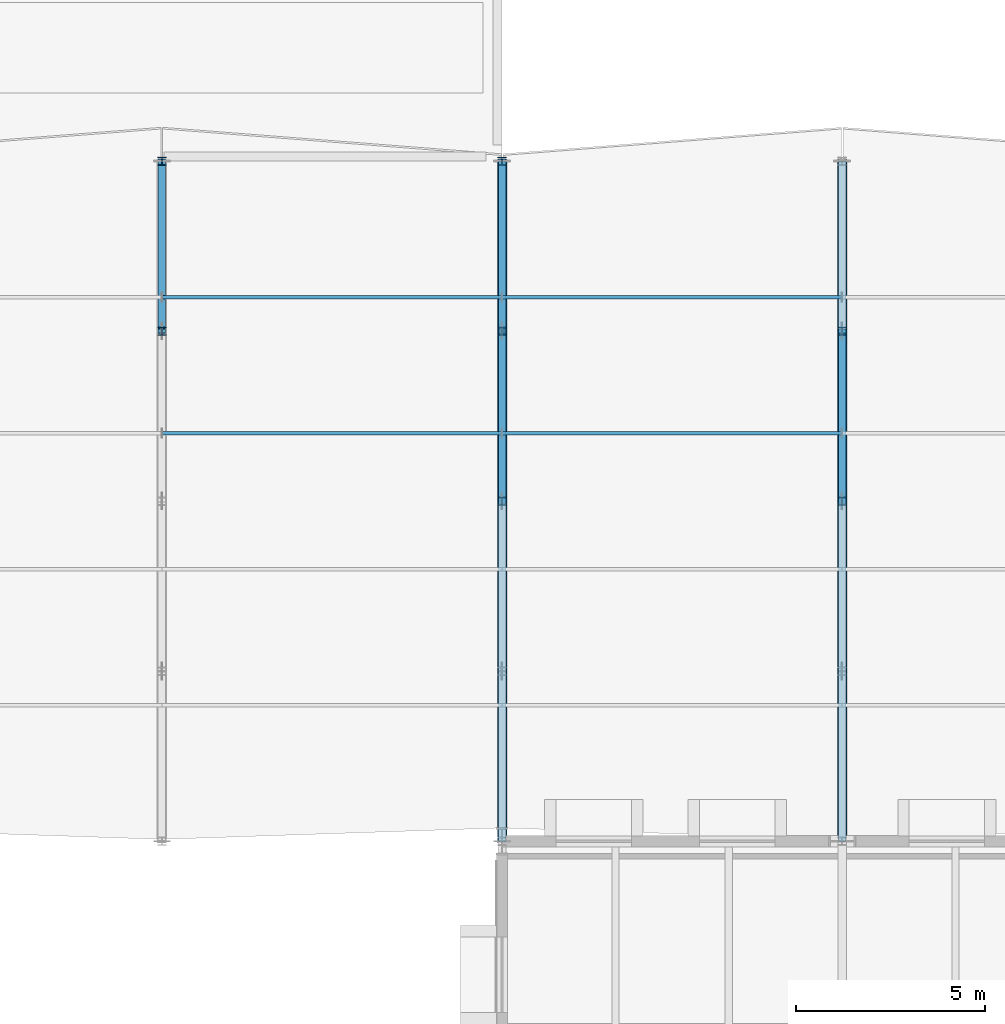
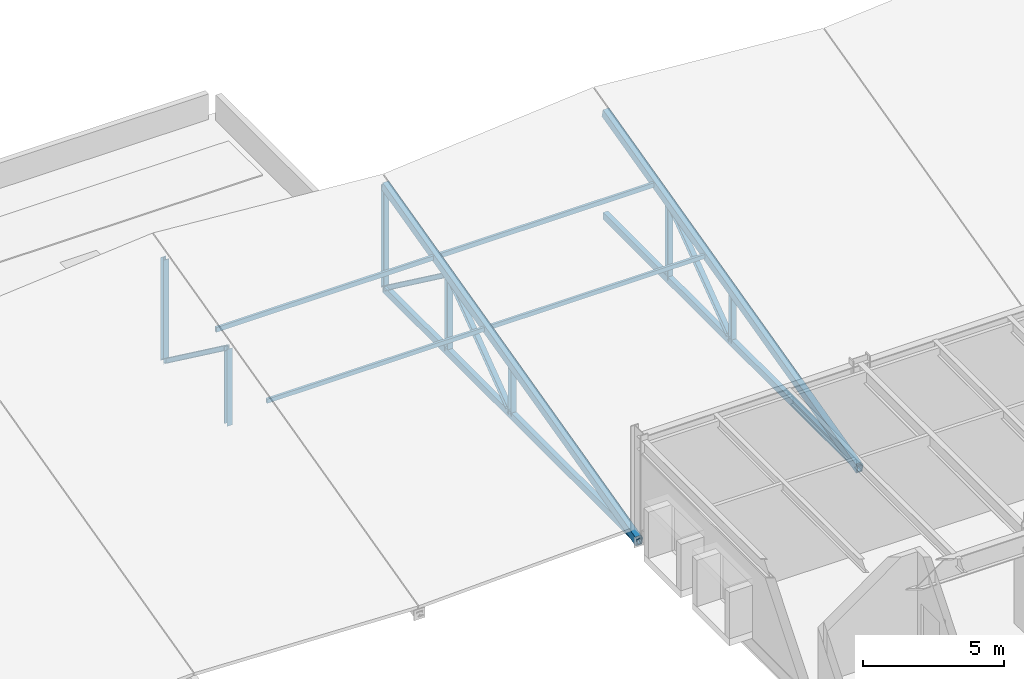
# One storey, part 16 of 67: 19 members.
"""IFC4 building model written with IfcOpenShell, lengths in metres."""

from ifc_helpers import new_model, si_unit, direction, frame, origin, origin_2d, place, context, subcontext, project, spatial, hollow_rectangle, i_section, extrude, material, material_profile, profile_set, type_object, element, save


model = new_model("IFC4")

# Units and contexts
model_context = context("Model", 3, precision=1e-05, world=origin(), true_north=direction((0.0, 1.0)))
body_context = subcontext(model_context, "Body", "Model", "MODEL_VIEW")
ifc_project = project(units=[si_unit("LENGTHUNIT", "METRE"), si_unit("AREAUNIT", "SQUARE_METRE"), si_unit("VOLUMEUNIT", "CUBIC_METRE"), si_unit("PLANEANGLEUNIT", "RADIAN"), si_unit("MASSUNIT", "GRAM", prefix="KILO")], contexts=[model_context])

# Site, building, storey
site_placement = place(None, origin())
site = spatial("IfcSite", under=ifc_project, at=site_placement, CompositionType="ELEMENT")
building_placement = place(site_placement, origin())
building = spatial("IfcBuilding", under=site, at=building_placement, Name="Montelvaro Courts of Justice", CompositionType="ELEMENT")
storey_placement = place(building_placement, frame((0.0, 0.0, 18.89990234375)))
storey = spatial("IfcBuildingStorey", under=building, at=storey_placement, Name="L04", CompositionType="ELEMENT", Elevation=18.89990234375)

# Members
ifc_material = material(Name="Steel S355", Category="steel")
ifc_material_profile_1 = material_profile(ifc_material, i_section(OverallWidth=0.199951171875, OverallDepth=0.18994140625, WebThickness=0.006591796875, FlangeThickness=0.010009765625, at=origin_2d()), Name="HEA 200")
ifc_profile_set_1 = profile_set([ifc_material_profile_1], Name="Steel S355")
member_type_1 = type_object("IfcMemberType", Name="Mem_HEA200_Brace", PredefinedType="BRACE", material=ifc_profile_set_1)
for number, where, z_axis, x_axis, name in (
    (1, (36.0, 37.5, 3.025146484375), (0.0, 0.804273161752, -0.594259775928), (-1.0, 0.0, 0.0), "Roof Truss Web MB-02 ROOF-V3-VTR03-W4"),
    (2, (45.0, 33.0, -0.2998046875), (0.0, 0.804273161752, 0.594259775928), (-1.0, 0.0, 0.0), "Roof Truss Web MB-02 ROOF-V3-VTR04-W3"),
    (3, (45.0, 37.5, 3.025146484375), (0.0, 0.804273161752, -0.594259775928), (-1.0, 0.0, 0.0), "Roof Truss Web MB-02 ROOF-V3-VTR04-W4"),
    (4, (54.0, 33.0, -0.2998046875), (0.0, 0.804273161752, 0.594259775928), (-1.0, 0.0, 0.0), "Roof Truss Web MB-02 ROOF-V3-VTR05-W3"),
):
    element("IfcMember", number, at=place(storey_placement, frame(where, z_axis=z_axis, x_axis=x_axis)), inside=storey, type_object=member_type_1, Name=name, PredefinedType="BRACE", context=body_context, shape_type="SweptSolid", body=[
        extrude(i_section(OverallWidth=0.199951171875, OverallDepth=0.18994140625, WebThickness=0.006591796875, FlangeThickness=0.010009765625, at=origin_2d()), origin(), (0.0, 0.0, 1.0), 5.59521484375),
    ])
ifc_material_profile_2 = material_profile(ifc_material, i_section(OverallWidth=0.219970703125, OverallDepth=0.2099609375, WebThickness=0.007080078125, FlangeThickness=0.010986328125, at=origin_2d()), Name="HEA 220")
ifc_profile_set_2 = profile_set([ifc_material_profile_2], Name="Steel S355")
member_type_2 = type_object("IfcMemberType", Name="Mem_HEA220_Post", PredefinedType="POST", material=ifc_profile_set_2)
member_1_placement = place(storey_placement, frame((36.0, 37.5, -0.2998046875), z_axis=(0.0, 0.0, 1.0), x_axis=(1.0, 0.0, 0.0)))
element("IfcMember", 5, at=member_1_placement, inside=storey, type_object=member_type_2, Name="Roof Truss Post MP-03 ROOF-V3-VTR03-V3", PredefinedType="POST", context=body_context, shape_type="SweptSolid", body=[
    extrude(i_section(OverallWidth=0.219970703125, OverallDepth=0.2099609375, WebThickness=0.007080078125, FlangeThickness=0.010986328125, at=origin_2d()), origin(), (0.0, 0.0, 1.0), 3.324951171875),
])
member_2_placement = place(storey_placement, frame((36.0, 42.0, -0.2998046875), z_axis=(0.0, 0.0, 1.0), x_axis=(1.0, 0.0, 0.0)))
element("IfcMember", 6, at=member_2_placement, inside=storey, type_object=member_type_2, Name="Roof Truss Post MP-03 ROOF-V3-VTR03-V4", PredefinedType="POST", context=body_context, shape_type="SweptSolid", body=[
    extrude(i_section(OverallWidth=0.219970703125, OverallDepth=0.2099609375, WebThickness=0.007080078125, FlangeThickness=0.010986328125, at=origin_2d()), origin(), (0.0, 0.0, 1.0), 4.449951171875),
])
member_3_placement = place(storey_placement, frame((45.0, 33.0, -0.2998046875), z_axis=(0.0, 0.0, 1.0), x_axis=(1.0, 0.0, 0.0)))
element("IfcMember", 7, at=member_3_placement, inside=storey, type_object=member_type_2, Name="Roof Truss Post MP-03 ROOF-V3-VTR04-V2", PredefinedType="POST", context=body_context, shape_type="SweptSolid", body=[
    extrude(i_section(OverallWidth=0.219970703125, OverallDepth=0.2099609375, WebThickness=0.007080078125, FlangeThickness=0.010986328125, at=origin_2d()), origin(), (0.0, 0.0, 1.0), 2.199951171875),
])
member_4_placement = place(storey_placement, frame((45.0, 37.5, -0.2998046875), z_axis=(0.0, 0.0, 1.0), x_axis=(1.0, 0.0, 0.0)))
element("IfcMember", 8, at=member_4_placement, inside=storey, type_object=member_type_2, Name="Roof Truss Post MP-03 ROOF-V3-VTR04-V3", PredefinedType="POST", context=body_context, shape_type="SweptSolid", body=[
    extrude(i_section(OverallWidth=0.219970703125, OverallDepth=0.2099609375, WebThickness=0.007080078125, FlangeThickness=0.010986328125, at=origin_2d()), origin(), (0.0, 0.0, 1.0), 3.324951171875),
])
member_5_placement = place(storey_placement, frame((45.0, 42.0, -0.2998046875), z_axis=(0.0, 0.0, 1.0), x_axis=(1.0, 0.0, 0.0)))
element("IfcMember", 9, at=member_5_placement, inside=storey, type_object=member_type_2, Name="Roof Truss Post MP-03 ROOF-V3-VTR04-V4", PredefinedType="POST", context=body_context, shape_type="SweptSolid", body=[
    extrude(i_section(OverallWidth=0.219970703125, OverallDepth=0.2099609375, WebThickness=0.007080078125, FlangeThickness=0.010986328125, at=origin_2d()), origin(), (0.0, 0.0, 1.0), 4.449951171875),
])
member_6_placement = place(storey_placement, frame((54.0, 33.0, -0.2998046875), z_axis=(0.0, 0.0, 1.0), x_axis=(1.0, 0.0, 0.0)))
element("IfcMember", 10, at=member_6_placement, inside=storey, type_object=member_type_2, Name="Roof Truss Post MP-03 ROOF-V3-VTR05-V2", PredefinedType="POST", context=body_context, shape_type="SweptSolid", body=[
    extrude(i_section(OverallWidth=0.219970703125, OverallDepth=0.2099609375, WebThickness=0.007080078125, FlangeThickness=0.010986328125, at=origin_2d()), origin(), (0.0, 0.0, 1.0), 2.199951171875),
])
member_7_placement = place(storey_placement, frame((54.0, 37.5, -0.2998046875), z_axis=(0.0, 0.0, 1.0), x_axis=(1.0, 0.0, 0.0)))
element("IfcMember", 11, at=member_7_placement, inside=storey, type_object=member_type_2, Name="Roof Truss Post MP-03 ROOF-V3-VTR05-V3", PredefinedType="POST", context=body_context, shape_type="SweptSolid", body=[
    extrude(i_section(OverallWidth=0.219970703125, OverallDepth=0.2099609375, WebThickness=0.007080078125, FlangeThickness=0.010986328125, at=origin_2d()), origin(), (0.0, 0.0, 1.0), 3.324951171875),
])
ifc_material_profile_3 = material_profile(ifc_material, hollow_rectangle(XDim=0.10009765625, YDim=0.179931640625, WallThickness=0.008056640625, at=origin_2d()), Name="RHS 180x100x8")
ifc_profile_set_3 = profile_set([ifc_material_profile_3], Name="Steel S355")
member_type_3 = type_object("IfcMemberType", Name="Mem_RHS180_Purlin", PredefinedType="PURLIN", material=ifc_profile_set_3)
for number, where, z_axis, x_axis, name in (
    (12, (36.0, 34.800048828125, 2.35009765625), (1.0, 0.0, 0.0), (0.0, 1.0, 0.0), "Roof Purlin MR-03 ROOF-V3-PRL-03-3M"),
    (13, (45.0, 34.800048828125, 2.35009765625), (1.0, 0.0, 0.0), (0.0, 1.0, 0.0), "Roof Purlin MR-03 ROOF-V3-PRL-04-3M"),
):
    element("IfcMember", number, at=place(storey_placement, frame(where, z_axis=z_axis, x_axis=x_axis)), inside=storey, type_object=member_type_3, Name=name, PredefinedType="PURLIN", context=body_context, shape_type="SweptSolid", body=[
        extrude(hollow_rectangle(XDim=0.10009765625, YDim=0.179931640625, WallThickness=0.008056640625, at=origin_2d()), origin(), (0.0, 0.0, 1.0), 9.0),
    ])
ifc_material_profile_4 = material_profile(ifc_material, hollow_rectangle(XDim=0.10009765625, YDim=0.199951171875, WallThickness=0.008056640625, at=origin_2d()), Name="RHS 200x100x8")
ifc_profile_set_4 = profile_set([ifc_material_profile_4], Name="Steel S355")
member_type_4 = type_object("IfcMemberType", Name="Mem_RHS200_Purlin", PredefinedType="PURLIN", material=ifc_profile_set_4)
for number, where, z_axis, x_axis, name in (
    (14, (36.0, 38.39990234375, 3.25), (1.0, 0.0, 0.0), (0.0, 1.0, 0.0), "Roof Purlin MR-04 ROOF-V3-PRL-03-4M"),
    (15, (45.0, 38.39990234375, 3.25), (1.0, 0.0, 0.0), (0.0, 1.0, 0.0), "Roof Purlin MR-04 ROOF-V3-PRL-04-4M"),
):
    element("IfcMember", number, at=place(storey_placement, frame(where, z_axis=z_axis, x_axis=x_axis)), inside=storey, type_object=member_type_4, Name=name, PredefinedType="PURLIN", context=body_context, shape_type="SweptSolid", body=[
        extrude(hollow_rectangle(XDim=0.10009765625, YDim=0.199951171875, WallThickness=0.008056640625, at=origin_2d()), origin(), (0.0, 0.0, 1.0), 9.0),
    ])
ifc_material_profile_5 = material_profile(ifc_material, hollow_rectangle(XDim=0.199951171875, YDim=0.300048828125, WallThickness=0.012451171875, at=origin_2d()), Name="RHS 300x200x12.5")
ifc_profile_set_5 = profile_set([ifc_material_profile_5], Name="Steel S355")
member_type_5 = type_object("IfcMemberType", Name="Mem_RHS300_Chord", PredefinedType="CHORD", material=ifc_profile_set_5)
for number, where, z_axis, x_axis, name in (
    (16, (45.0, 24.0, -0.2998046875), (0.0, 1.0, 0.0), (-1.0, 0.0, 0.0), "Roof Truss ROOF-V3-VTR04 Bottom Chord"),
    (17, (54.0, 24.0, -0.2998046875), (0.0, 1.0, 0.0), (-1.0, 0.0, 0.0), "Roof Truss ROOF-V3-VTR05 Bottom Chord"),
):
    element("IfcMember", number, at=place(storey_placement, frame(where, z_axis=z_axis, x_axis=x_axis)), inside=storey, type_object=member_type_5, Name=name, PredefinedType="CHORD", context=body_context, shape_type="SweptSolid", body=[
        extrude(hollow_rectangle(XDim=0.199951171875, YDim=0.300048828125, WallThickness=0.012451171875, at=origin_2d()), origin(), (0.0, 0.0, 1.0), 18.0),
    ])
ifc_material_profile_6 = material_profile(ifc_material, hollow_rectangle(XDim=0.25, YDim=0.35009765625, WallThickness=0.012451171875, at=origin_2d()), Name="RHS 350x250x12.5")
ifc_profile_set_6 = profile_set([ifc_material_profile_6], Name="Steel S355")
member_type_6 = type_object("IfcMemberType", Name="Mem_RHS350_Chord", PredefinedType="CHORD", material=ifc_profile_set_6)
for number, where, z_axis, x_axis, name in (
    (18, (45.0, 24.0, -0.349853515625), (0.0, 0.970142500145, 0.242535625036), (-1.0, 0.0, 0.0), "Roof Truss ROOF-V3-VTR04 Top Chord"),
    (19, (54.0, 24.0, -0.349853515625), (0.0, 0.970142500145, 0.242535625036), (-1.0, 0.0, 0.0), "Roof Truss ROOF-V3-VTR05 Top Chord"),
):
    element("IfcMember", number, at=place(storey_placement, frame(where, z_axis=z_axis, x_axis=x_axis)), inside=storey, type_object=member_type_6, Name=name, PredefinedType="CHORD", context=body_context, shape_type="SweptSolid", body=[
        extrude(hollow_rectangle(XDim=0.25, YDim=0.35009765625, WallThickness=0.012451171875, at=origin_2d()), origin(), (0.0, 0.0, 1.0), 18.553955078125),
    ])

save(model, "model.ifc")
